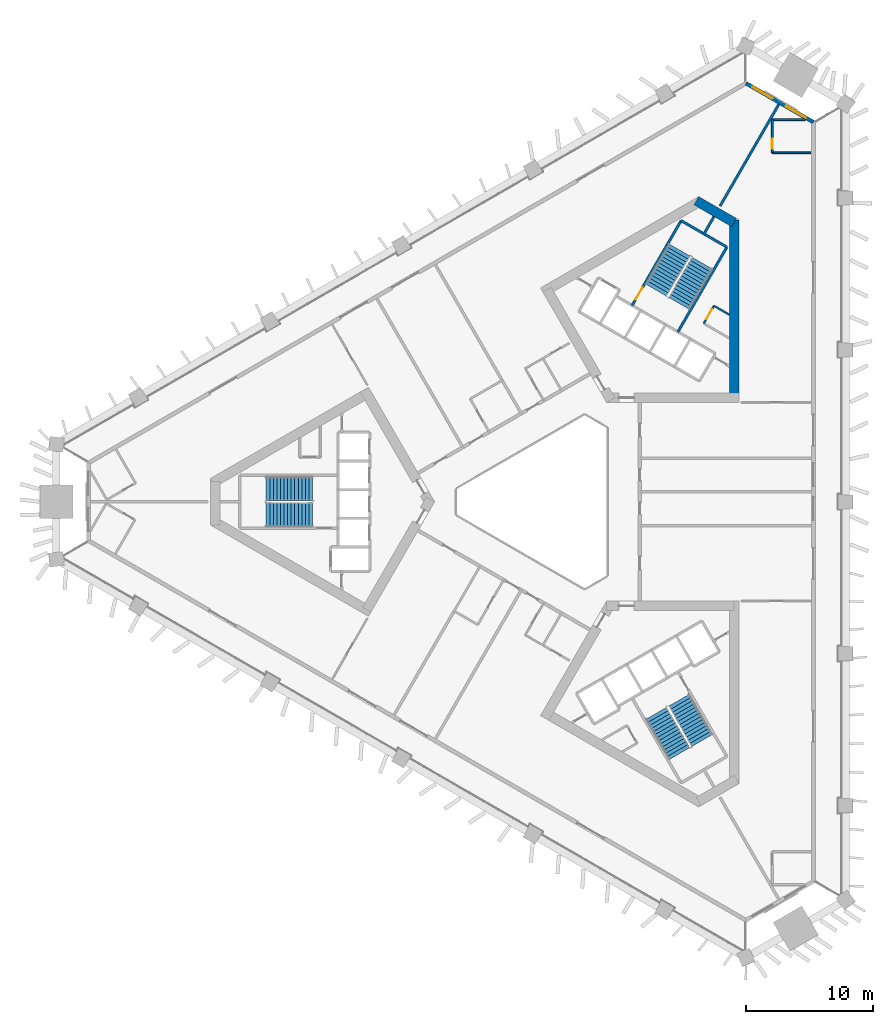
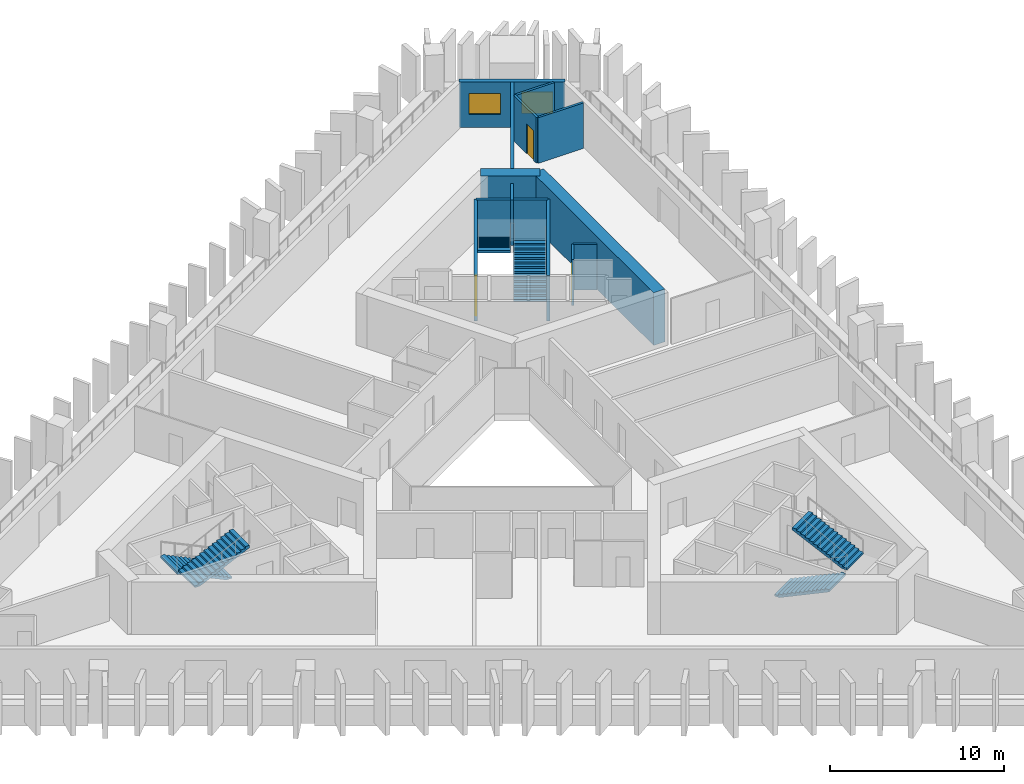
# One storey, part 6 of 10: 13 walls, 6 stair flights, 3 doors, 2 windows, 5 openings, 3 elements without a shape of their own.
"""IFC4 building model written with IfcOpenShell, lengths in metres."""

from ifc_helpers import new_model, si_unit, direction, frame, frame_2d, origin, place, context, subcontext, project, spatial, polyline, rectangle, outline, extrude, material, layer, layer_set, type_object, element, fill, aggregate, save


model = new_model("IFC4")

# Units and contexts
model_context = context("Model", 3, precision=1e-05, world=origin(), true_north=direction((0.0, 1.0)))
body_context = subcontext(model_context, "Body", "Model", "MODEL_VIEW")
ifc_project = project(units=[si_unit("LENGTHUNIT", "METRE"), si_unit("AREAUNIT", "SQUARE_METRE"), si_unit("VOLUMEUNIT", "CUBIC_METRE"), si_unit("PLANEANGLEUNIT", "RADIAN"), si_unit("MASSUNIT", "GRAM", prefix="KILO")], contexts=[model_context])

# Site, building, storey
site_placement = place(None, origin())
site = spatial("IfcSite", under=ifc_project, at=site_placement, CompositionType="ELEMENT")
building_placement = place(site_placement, origin())
building = spatial("IfcBuilding", under=site, at=building_placement, Name="Jabali Bay Hotel Tower and Convention Centre", CompositionType="ELEMENT")
storey_placement = place(building_placement, frame((0.0, 0.0, 68.39990234375)))
storey = spatial("IfcBuildingStorey", under=building, at=storey_placement, Name="L15", CompositionType="ELEMENT", Elevation=68.39990234375)

# Wall
ifc_material_1 = material(Name="Concrete C40", Category="concrete")
ifc_layer_1 = layer(ifc_material_1, 0.199951171875)
ifc_layer_set_1 = layer_set([ifc_layer_1], Name="Concrete C40")
wall_type_1 = type_object("IfcWallType", Name="Core partition wall 200", PredefinedType="PARTITIONING", material=ifc_layer_set_1)
wall_1_placement = place(storey_placement, frame((87.090087890625, 100.9404296875, 0.0), z_axis=(0.0, 0.0, 1.0), x_axis=(0.499937194881, 0.866061661301, 0.0)))
element("IfcWall", 1, at=wall_1_placement, inside=storey, type_object=wall_type_1, Name="Core wall 1.5 L15", PredefinedType="PARTITIONING", context=body_context, shape_type="SweptSolid", body=[
    extrude(rectangle(XDim=1.673095703125, YDim=0.199951171875, at=frame_2d((0.83642578125, 0.0))), origin(), (0.0, 0.0, 1.0), 3.2001953125),
])

# Wall, opening, door
ifc_material_2 = material(Name="Fire-rated board partition")
ifc_layer_2 = layer(ifc_material_2, 0.14990234375)
ifc_layer_set_2 = layer_set([ifc_layer_2], Name="Fire-rated board partition")
wall_type_2 = type_object("IfcWallType", Name="Core room partition 150", PredefinedType="PARTITIONING", material=ifc_layer_set_2)
wall_2_placement = place(storey_placement, frame((87.12109375, 93.994384765625, 0.0), z_axis=(0.0, 0.0, 1.0), x_axis=(0.500061482766, 0.865989903783, 0.0)))
wall_2 = element("IfcWall", 2, at=wall_2_placement, inside=storey, type_object=wall_type_2, Name="Core wall 1.1 L15", PredefinedType="PARTITIONING", context=body_context, shape_type="SweptSolid", body=[
    extrude(rectangle(XDim=1.599853515625, YDim=0.14990234375, at=frame_2d((0.7998046875, 0.0))), origin(), (0.0, 0.0, 1.0), 3.2001953125),
])
opening_1_placement = place(wall_2_placement, frame((0.387451171875, 0.0, 0.0)))
opening_1 = element("IfcOpeningElement", 3, at=opening_1_placement, cuts=wall_2, Name="Opening D395", PredefinedType="OPENING", context=body_context, shape_type="SweptSolid", body=[
    extrude(rectangle(XDim=0.89990234375, YDim=2.10009765625, at=frame_2d((0.449951171875, 1.050048828125))), frame((0.0, 0.08544921875, 0.0), z_axis=(0.0, -1.0, 0.0), x_axis=(1.0, 0.0, 0.0)), (0.0, 0.0, 1.0), 0.1708984375),
])
ifc_material_3 = material(Name="Fire-rated steel door", Category="steel")
door_type_1 = type_object("IfcDoorType", Name="Core room door 900 x 2100", OperationType="NOTDEFINED", PredefinedType="NOTDEFINED", material=ifc_material_3)
door_1_placement = place(opening_1_placement, origin())
door_1 = element("IfcDoor", 4, at=door_1_placement, inside=storey, type_object=door_type_1, Name="Core room door D395", OperationType="SINGLE_SWING_LEFT", OverallHeight=2.10009765625, OverallWidth=0.89990234375, PredefinedType="NOTDEFINED", context=body_context, shape_type="SweptSolid", body=[
    extrude(rectangle(XDim=0.89990234375, YDim=2.10009765625, at=frame_2d((0.449951171875, 1.050048828125))), frame((0.0, 0.02490234375, 0.0), z_axis=(0.0, -1.0, 0.0), x_axis=(1.0, 0.0, 0.0)), (0.0, 0.0, 1.0), 0.050048828125),
])
fill(opening_1, door_1)

# Walls
wall_3_placement = place(storey_placement, frame((89.1298828125, 94.68212890625, 0.0), z_axis=(0.0, 0.0, 1.0), x_axis=(-0.866060334111, 0.499939494019, 0.0)))
element("IfcWall", 5, at=wall_3_placement, inside=storey, type_object=wall_type_2, Name="Core wall 1.16 L15", PredefinedType="PARTITIONING", context=body_context, shape_type="SweptSolid", body=[
    extrude(rectangle(XDim=1.395751953125, YDim=0.14990234375, at=frame_2d((0.69775390625, 0.0))), origin(), (0.0, 0.0, 1.0), 3.2001953125),
])
ifc_layer_3 = layer(ifc_material_1, 0.199951171875)
ifc_layer_set_3 = layer_set([ifc_layer_3], Name="Concrete C40")
wall_type_3 = type_object("IfcWallType", Name="Core stair wall 200", PredefinedType="SOLIDWALL", material=ifc_layer_set_3)
wall_4_placement = place(storey_placement, frame((85.0869140625, 93.3212890625, 0.0), z_axis=(0.0, 0.0, 1.0), x_axis=(0.500019787375, 0.866013979237, 0.0)))
element("IfcWall", 6, at=wall_4_placement, inside=storey, type_object=wall_type_3, Name="Core wall 1.3 L15", PredefinedType="SOLIDWALL", context=body_context, shape_type="SweptSolid", body=[
    extrude(rectangle(XDim=7.699951171875, YDim=0.199951171875, at=frame_2d((3.85009765625, 0.0))), origin(), (0.0, 0.0, 1.0), 3.2001953125),
])

# Wall, opening, door
wall_5_placement = place(storey_placement, frame((81.492919921875, 95.396240234375, 0.0), z_axis=(0.0, 0.0, 1.0), x_axis=(0.500006057782, 0.866021906294, 0.0)))
wall_5 = element("IfcWall", 7, at=wall_5_placement, inside=storey, type_object=wall_type_3, Name="Core wall 1.7 L15", PredefinedType="SOLIDWALL", context=body_context, shape_type="SweptSolid", body=[
    extrude(rectangle(XDim=7.7001953125, YDim=0.199951171875, at=frame_2d((3.85009765625, 0.0))), origin(), (0.0, 0.0, 1.0), 3.2001953125),
])
opening_2_placement = place(wall_5_placement, frame((0.550048828125, 0.0, 0.0)))
opening_2 = element("IfcOpeningElement", 8, at=opening_2_placement, cuts=wall_5, Name="Opening D394", PredefinedType="OPENING", context=body_context, shape_type="SweptSolid", body=[
    extrude(rectangle(XDim=1.10009765625, YDim=2.10009765625, at=frame_2d((0.550048828125, 1.050048828125))), frame((0.0, 0.1103515625, 0.0), z_axis=(0.0, -1.0, 0.0), x_axis=(1.0, 0.0, 0.0)), (0.0, 0.0, 1.0), 0.220947265625),
])
door_type_2 = type_object("IfcDoorType", Name="Stair fire door 1100 x 2100", OperationType="NOTDEFINED", PredefinedType="NOTDEFINED", material=ifc_material_3)
door_2_placement = place(opening_2_placement, origin())
door_2 = element("IfcDoor", 9, at=door_2_placement, inside=storey, type_object=door_type_2, Name="Stair fire door D394", OperationType="SINGLE_SWING_RIGHT", OverallHeight=2.10009765625, OverallWidth=1.10009765625, PredefinedType="NOTDEFINED", context=body_context, shape_type="SweptSolid", body=[
    extrude(rectangle(XDim=1.10009765625, YDim=2.10009765625, at=frame_2d((0.550048828125, 1.050048828125))), frame((0.0, 0.02490234375, 0.0), z_axis=(0.0, -1.0, 0.0), x_axis=(1.0, 0.0, 0.0)), (0.0, 0.0, 1.0), 0.050048828125),
])
fill(opening_2, door_2)

# Walls
wall_6_placement = place(storey_placement, frame((88.93701171875, 99.989501953125, 0.0), z_axis=(0.0, 0.0, 1.0), x_axis=(-0.866004344652, 0.500036473714, 0.0)))
element("IfcWall", 10, at=wall_6_placement, inside=storey, type_object=wall_type_3, Name="Core wall 1.17 L15", PredefinedType="SOLIDWALL", context=body_context, shape_type="SweptSolid", body=[
    extrude(rectangle(XDim=4.150146484375, YDim=0.199951171875, at=frame_2d((2.0751953125, 0.0))), origin(), (0.0, 0.0, 1.0), 3.2001953125),
])
ifc_material_4 = material(Name="Concrete C60", Category="concrete")
ifc_layer_4 = layer(ifc_material_4, 0.75)
ifc_layer_set_4 = layer_set([ifc_layer_4], Name="Concrete C60")
wall_type_4 = type_object("IfcWallType", Name="Core wall 750", PredefinedType="SHEAR", material=ifc_layer_set_4)
wall_7_placement = place(storey_placement, frame((89.5048828125, 88.169189453125, 0.0), z_axis=(0.0, 0.0, 1.0), x_axis=(0.0, 1.0, 0.0)))
element("IfcWall", 11, at=wall_7_placement, inside=storey, type_object=wall_type_4, Name="Core wall 2.2 L15", PredefinedType="SHEAR", context=body_context, shape_type="SweptSolid", body=[
    extrude(rectangle(XDim=13.95849609375, YDim=0.75, at=frame_2d((6.979248046875, 0.0))), origin(), (0.0, 0.0, 1.0), 3.7001953125),
])
wall_8_placement = place(storey_placement, frame((89.5048828125, 101.9111328125, 0.0), z_axis=(0.0, 0.0, 1.0), x_axis=(-0.866017201164, 0.500014207086, 0.0)))
element("IfcWall", 12, at=wall_8_placement, inside=storey, type_object=wall_type_4, Name="Core wall 2.3 L15", PredefinedType="SHEAR", context=body_context, shape_type="SweptSolid", body=[
    extrude(rectangle(XDim=3.4287109375, YDim=0.75, at=frame_2d((1.71435546875, 0.0))), origin(), (0.0, 0.0, 1.0), 3.7001953125),
])

# Wall, openings, windows
ifc_layer_5 = layer(ifc_material_1, 0.300048828125)
ifc_layer_set_5 = layer_set([ifc_layer_5], Name="Concrete C40")
wall_type_5 = type_object("IfcWallType", Name="External wall 300", PredefinedType="SOLIDWALL", material=ifc_layer_set_5)
wall_9_placement = place(storey_placement, frame((90.443359375, 112.84716796875, 0.0), z_axis=(0.0, 0.0, 1.0), x_axis=(0.866022255349, -0.500005453211, 0.0)))
wall_9 = element("IfcWall", 13, at=wall_9_placement, inside=storey, type_object=wall_type_5, Name="External wall north-east chamfer L15", PredefinedType="SOLIDWALL", context=body_context, shape_type="SweptSolid", body=[
    extrude(rectangle(XDim=6.0986328125, YDim=0.300048828125, at=frame_2d((3.04931640625, 0.0))), origin(), (0.0, 0.0, 1.0), 3.2001953125),
])
opening_3_placement = place(wall_9_placement, frame((3.608154296875, 0.0, 0.89990234375)))
opening_3 = element("IfcOpeningElement", 14, at=opening_3_placement, cuts=wall_9, Name="Opening W1", PredefinedType="OPENING", context=body_context, shape_type="SweptSolid", body=[
    extrude(rectangle(XDim=1.800048828125, YDim=1.5, at=frame_2d((0.89990234375, 0.75))), frame((0.0, 0.16064453125, 0.0), z_axis=(0.0, -1.0, 0.0), x_axis=(1.0, 0.0, 0.0)), (0.0, 0.0, 1.0), 0.321044921875),
])
opening_4_placement = place(wall_9_placement, frame((0.581787109375, 0.0, 0.89990234375)))
opening_4 = element("IfcOpeningElement", 15, at=opening_4_placement, cuts=wall_9, Name="Opening W1", PredefinedType="OPENING", context=body_context, shape_type="SweptSolid", body=[
    extrude(rectangle(XDim=1.800048828125, YDim=1.5, at=frame_2d((0.89990234375, 0.75))), frame((0.0, 0.16064453125, 0.0), z_axis=(0.0, -1.0, 0.0), x_axis=(1.0, 0.0, 0.0)), (0.0, 0.0, 1.0), 0.321044921875),
])
ifc_material_5 = material(Name="Glass", Category="glass")
window_type = type_object("IfcWindowType", Name="Window 1800 x 1500", PartitioningType="SINGLE_PANEL", PredefinedType="WINDOW", material=ifc_material_5)
window_1_placement = place(opening_3_placement, origin())
window_1 = element("IfcWindow", 16, at=window_1_placement, inside=storey, type_object=window_type, Name="Window 1504", OverallHeight=1.5, OverallWidth=1.800048828125, PartitioningType="SINGLE_PANEL", PredefinedType="WINDOW", context=body_context, shape_type="SweptSolid", body=[
    extrude(rectangle(XDim=1.800048828125, YDim=1.5, at=frame_2d((0.89990234375, 0.75))), frame((0.0, 0.030029296875, 0.0), z_axis=(0.0, -1.0, 0.0), x_axis=(1.0, 0.0, 0.0)), (0.0, 0.0, 1.0), 0.06005859375),
])
fill(opening_3, window_1)
window_2_placement = place(opening_4_placement, origin())
window_2 = element("IfcWindow", 17, at=window_2_placement, inside=storey, type_object=window_type, Name="Window 1505", OverallHeight=1.5, OverallWidth=1.800048828125, PartitioningType="SINGLE_PANEL", PredefinedType="WINDOW", context=body_context, shape_type="SweptSolid", body=[
    extrude(rectangle(XDim=1.800048828125, YDim=1.5, at=frame_2d((0.89990234375, 0.75))), frame((0.0, 0.030029296875, 0.0), z_axis=(0.0, -1.0, 0.0), x_axis=(1.0, 0.0, 0.0)), (0.0, 0.0, 1.0), 0.06005859375),
])
fill(opening_4, window_2)

# Wall
ifc_material_6 = material(Name="Plasterboard on steel stud", Category="steel")
ifc_layer_6 = layer(ifc_material_6, 0.14990234375)
ifc_layer_set_6 = layer_set([ifc_layer_6], Name="Plasterboard on steel stud")
wall_type_6 = type_object("IfcWallType", Name="Partition 150 wet", PredefinedType="PARTITIONING", material=ifc_layer_set_6)
wall_10_placement = place(storey_placement, frame((95.53466796875, 107.394287109375, 0.0), z_axis=(0.0, 0.0, 1.0), x_axis=(-1.0, 0.0, 0.0)))
element("IfcWall", 18, at=wall_10_placement, inside=storey, type_object=wall_type_6, Name="Partition P03 L15 010", PredefinedType="PARTITIONING", context=body_context, shape_type="SweptSolid", body=[
    extrude(rectangle(XDim=3.033203125, YDim=0.14990234375, at=frame_2d((1.5166015625, 0.0))), origin(), (0.0, 0.0, 1.0), 3.2001953125),
])

# Wall, opening, door
wall_11_placement = place(storey_placement, frame((92.50146484375, 107.394287109375, 0.0), z_axis=(0.0, 0.0, 1.0), x_axis=(0.0, 1.0, 0.0)))
wall_11 = element("IfcWall", 19, at=wall_11_placement, inside=storey, type_object=wall_type_6, Name="Partition P03 L15 011", PredefinedType="PARTITIONING", context=body_context, shape_type="SweptSolid", body=[
    extrude(rectangle(XDim=2.599853515625, YDim=0.14990234375, at=frame_2d((1.2998046875, 0.0))), origin(), (0.0, 0.0, 1.0), 3.2001953125),
])
opening_5_placement = place(wall_11_placement, frame((0.300048828125, 0.0, 0.0)))
opening_5 = element("IfcOpeningElement", 20, at=opening_5_placement, cuts=wall_11, Name="Opening 1508", PredefinedType="OPENING", context=body_context, shape_type="SweptSolid", body=[
    extrude(rectangle(XDim=0.800048828125, YDim=2.10009765625, at=frame_2d((0.39990234375, 1.050048828125))), frame((0.0, 0.08544921875, 0.0), z_axis=(0.0, -1.0, 0.0), x_axis=(1.0, 0.0, 0.0)), (0.0, 0.0, 1.0), 0.1708984375),
])
ifc_material_7 = material(Name="Timber", Category="wood")
door_type_3 = type_object("IfcDoorType", Name="En-suite door 800 x 2100", OperationType="NOTDEFINED", PredefinedType="NOTDEFINED", material=ifc_material_7)
door_3_placement = place(opening_5_placement, origin())
door_3 = element("IfcDoor", 21, at=door_3_placement, inside=storey, type_object=door_type_3, Name="Door 1508", OperationType="SINGLE_SWING_LEFT", OverallHeight=2.10009765625, OverallWidth=0.800048828125, PredefinedType="NOTDEFINED", context=body_context, shape_type="SweptSolid", body=[
    extrude(rectangle(XDim=0.800048828125, YDim=2.10009765625, at=frame_2d((0.39990234375, 1.050048828125))), frame((0.0, 0.02490234375, 0.0), z_axis=(0.0, -1.0, 0.0), x_axis=(1.0, 0.0, 0.0)), (0.0, 0.0, 1.0), 0.050048828125),
])
fill(opening_5, door_3)

# Walls
wall_12_placement = place(storey_placement, frame((92.50146484375, 109.994140625, 0.0), z_axis=(0.0, 0.0, 1.0), x_axis=(1.0, 0.0, 0.0)))
element("IfcWall", 22, at=wall_12_placement, inside=storey, type_object=wall_type_6, Name="Partition P03 L15 012", PredefinedType="PARTITIONING", context=body_context, shape_type="SweptSolid", body=[
    extrude(rectangle(XDim=2.585205078125, YDim=0.14990234375, at=frame_2d((1.29248046875, 0.0))), origin(), (0.0, 0.0, 1.0), 3.2001953125),
])
ifc_layer_7 = layer(ifc_material_6, 0.199951171875)
ifc_layer_set_7 = layer_set([ifc_layer_7], Name="Plasterboard on steel stud")
wall_type_7 = type_object("IfcWallType", Name="Partition 200 party", PredefinedType="PARTITIONING", material=ifc_layer_set_7)
wall_13_placement = place(storey_placement, frame((93.010498046875, 111.19287109375, 0.0), z_axis=(0.0, 0.0, 1.0), x_axis=(-0.500010587453, -0.86601929103, 0.0)))
element("IfcWall", 23, at=wall_13_placement, inside=storey, type_object=wall_type_7, Name="Partition P01 L15 013", PredefinedType="PARTITIONING", context=body_context, shape_type="SweptSolid", body=[
    extrude(rectangle(XDim=9.217041015625, YDim=0.199951171875, at=frame_2d((4.6083984375, 0.0))), origin(), (0.0, 0.0, 1.0), 3.2001953125),
])

# Stair, stair flights
stair_type = type_object("IfcStairType", Name="Exit stair 1900", PredefinedType="HALF_TURN_STAIR", material=ifc_material_1)
stair_1_placement = place(storey_placement, origin())
stair_1 = element("IfcStair", 24, at=stair_1_placement, inside=storey, type_object=stair_type, Name="L15 Exit Stair 1", PredefinedType="HALF_TURN_STAIR")
stair_flight_type = type_object("IfcStairFlightType", Name="Stair flight concrete 150", PredefinedType="STRAIGHT", material=ifc_material_1)
stair_flight_1_placement = place(storey_placement, frame((56.419921875, 81.02490234375, 0.0), z_axis=(0.0, 0.0, 1.0), x_axis=(-1.0, 0.0, 0.0)))
stair_flight_1 = element("IfcStairFlight", 25, at=stair_flight_1_placement, type_object=stair_flight_type, Name="ST1 flight 1", NumberOfRisers=14, NumberOfTreads=13, PredefinedType="STRAIGHT", RiserHeight=0.132142857, TreadLength=0.28, context=body_context, shape_type="SweptSolid", body=[
    extrude(outline(polyline([(0.0, 0.0), (0.0, 0.132080078125), (0.280029296875, 0.132080078125), (0.280029296875, 0.264404296875), (0.56005859375, 0.264404296875), (0.56005859375, 0.396484375), (0.840087890625, 0.396484375), (0.840087890625, 0.528564453125), (1.1201171875, 0.528564453125), (1.1201171875, 0.66064453125), (1.39990234375, 0.66064453125), (1.39990234375, 0.79296875), (1.679931640625, 0.79296875), (1.679931640625, 0.925048828125), (1.9599609375, 0.925048828125), (1.9599609375, 1.05712890625), (2.239990234375, 1.05712890625), (2.239990234375, 1.189208984375), (2.52001953125, 1.189208984375), (2.52001953125, 1.321533203125), (2.800048828125, 1.321533203125), (2.800048828125, 1.45361328125), (3.080078125, 1.45361328125), (3.080078125, 1.585693359375), (3.360107421875, 1.585693359375), (3.360107421875, 1.7177734375), (3.639892578125, 1.7177734375), (3.639892578125, 1.85009765625), (3.639892578125, 1.552001953125), (0.351318359375, 0.0), (0.0, 0.0)])), frame((0.0, 0.949951171875, 0.0), z_axis=(0.0, -1.0, 0.0), x_axis=(1.0, 0.0, 0.0)), (0.0, 0.0, 1.0), 1.89990234375),
])
stair_flight_2_placement = place(storey_placement, frame((52.780029296875, 78.97509765625, 1.85009765625), z_axis=(0.0, 0.0, 1.0), x_axis=(1.0, 0.0, 0.0)))
stair_flight_2 = element("IfcStairFlight", 26, at=stair_flight_2_placement, type_object=stair_flight_type, Name="ST1 flight 2", NumberOfRisers=14, NumberOfTreads=13, PredefinedType="STRAIGHT", RiserHeight=0.132142857, TreadLength=0.28, context=body_context, shape_type="SweptSolid", body=[
    extrude(outline(polyline([(0.0, 0.0), (0.0, 0.132080078125), (0.280029296875, 0.132080078125), (0.280029296875, 0.264404296875), (0.56005859375, 0.264404296875), (0.56005859375, 0.396484375), (0.840087890625, 0.396484375), (0.840087890625, 0.528564453125), (1.1201171875, 0.528564453125), (1.1201171875, 0.66064453125), (1.39990234375, 0.66064453125), (1.39990234375, 0.79296875), (1.679931640625, 0.79296875), (1.679931640625, 0.925048828125), (1.9599609375, 0.925048828125), (1.9599609375, 1.05712890625), (2.239990234375, 1.05712890625), (2.239990234375, 1.189208984375), (2.52001953125, 1.189208984375), (2.52001953125, 1.321533203125), (2.800048828125, 1.321533203125), (2.800048828125, 1.45361328125), (3.080078125, 1.45361328125), (3.080078125, 1.585693359375), (3.360107421875, 1.585693359375), (3.360107421875, 1.7177734375), (3.639892578125, 1.7177734375), (3.639892578125, 1.85009765625), (3.639892578125, 1.552001953125), (0.351318359375, 0.0), (0.0, 0.0)])), frame((0.0, 0.949951171875, 0.0), z_axis=(0.0, -1.0, 0.0), x_axis=(1.0, 0.0, 0.0)), (0.0, 0.0, 1.0), 1.89990234375),
])
aggregate(stair_1, [stair_flight_1, stair_flight_2])

stair_2_placement = place(storey_placement, origin())
stair_2 = element("IfcStair", 27, at=stair_2_placement, inside=storey, type_object=stair_type, Name="L15 Exit Stair 2", PredefinedType="HALF_TURN_STAIR")
stair_flight_3_placement = place(storey_placement, frame((85.177734375, 95.578369140625, 0.0), z_axis=(0.0, 0.0, 1.0), x_axis=(0.5, 0.866025403784, 0.0)))
stair_flight_3 = element("IfcStairFlight", 28, at=stair_flight_3_placement, type_object=stair_flight_type, Name="ST2 flight 1", NumberOfRisers=14, NumberOfTreads=13, PredefinedType="STRAIGHT", RiserHeight=0.132142857, TreadLength=0.28, context=body_context, shape_type="SweptSolid", body=[
    extrude(outline(polyline([(0.0, 0.0), (0.0, 0.132080078125), (0.280029296875, 0.132080078125), (0.280029296875, 0.264404296875), (0.56005859375, 0.264404296875), (0.56005859375, 0.396484375), (0.840087890625, 0.396484375), (0.840087890625, 0.528564453125), (1.1201171875, 0.528564453125), (1.1201171875, 0.66064453125), (1.39990234375, 0.66064453125), (1.39990234375, 0.79296875), (1.679931640625, 0.79296875), (1.679931640625, 0.925048828125), (1.9599609375, 0.925048828125), (1.9599609375, 1.05712890625), (2.239990234375, 1.05712890625), (2.239990234375, 1.189208984375), (2.52001953125, 1.189208984375), (2.52001953125, 1.321533203125), (2.800048828125, 1.321533203125), (2.800048828125, 1.45361328125), (3.080078125, 1.45361328125), (3.080078125, 1.585693359375), (3.360107421875, 1.585693359375), (3.360107421875, 1.7177734375), (3.639892578125, 1.7177734375), (3.639892578125, 1.85009765625), (3.639892578125, 1.552001953125), (0.351318359375, 0.0), (0.0, 0.0)])), frame((0.0, 0.949951171875, 0.0), z_axis=(0.0, -1.0, 0.0), x_axis=(1.0, 0.0, 0.0)), (0.0, 0.0, 1.0), 1.89990234375),
])
stair_flight_4_placement = place(storey_placement, frame((85.222412109375, 99.755615234375, 1.85009765625), z_axis=(0.0, 0.0, 1.0), x_axis=(-0.5, -0.866025403784, 0.0)))
stair_flight_4 = element("IfcStairFlight", 29, at=stair_flight_4_placement, type_object=stair_flight_type, Name="ST2 flight 2", NumberOfRisers=14, NumberOfTreads=13, PredefinedType="STRAIGHT", RiserHeight=0.132142857, TreadLength=0.28, context=body_context, shape_type="SweptSolid", body=[
    extrude(outline(polyline([(0.0, 0.0), (0.0, 0.132080078125), (0.280029296875, 0.132080078125), (0.280029296875, 0.264404296875), (0.56005859375, 0.264404296875), (0.56005859375, 0.396484375), (0.840087890625, 0.396484375), (0.840087890625, 0.528564453125), (1.1201171875, 0.528564453125), (1.1201171875, 0.66064453125), (1.39990234375, 0.66064453125), (1.39990234375, 0.79296875), (1.679931640625, 0.79296875), (1.679931640625, 0.925048828125), (1.9599609375, 0.925048828125), (1.9599609375, 1.05712890625), (2.239990234375, 1.05712890625), (2.239990234375, 1.189208984375), (2.52001953125, 1.189208984375), (2.52001953125, 1.321533203125), (2.800048828125, 1.321533203125), (2.800048828125, 1.45361328125), (3.080078125, 1.45361328125), (3.080078125, 1.585693359375), (3.360107421875, 1.585693359375), (3.360107421875, 1.7177734375), (3.639892578125, 1.7177734375), (3.639892578125, 1.85009765625), (3.639892578125, 1.552001953125), (0.351318359375, 0.0), (0.0, 0.0)])), frame((0.0, 0.949951171875, 0.0), z_axis=(0.0, -1.0, 0.0), x_axis=(1.0, 0.0, 0.0)), (0.0, 0.0, 1.0), 1.89990234375),
])
aggregate(stair_2, [stair_flight_3, stair_flight_4])

stair_3_placement = place(storey_placement, origin())
stair_3 = element("IfcStair", 30, at=stair_3_placement, inside=storey, type_object=stair_type, Name="L15 Exit Stair 3", PredefinedType="HALF_TURN_STAIR")
stair_flight_5_placement = place(storey_placement, frame((83.40234375, 63.396728515625, 0.0), z_axis=(0.0, 0.0, 1.0), x_axis=(0.5, -0.866025403784, 0.0)))
stair_flight_5 = element("IfcStairFlight", 31, at=stair_flight_5_placement, type_object=stair_flight_type, Name="ST3 flight 1", NumberOfRisers=14, NumberOfTreads=13, PredefinedType="STRAIGHT", RiserHeight=0.132142857, TreadLength=0.28, context=body_context, shape_type="SweptSolid", body=[
    extrude(outline(polyline([(0.0, 0.0), (0.0, 0.132080078125), (0.280029296875, 0.132080078125), (0.280029296875, 0.264404296875), (0.56005859375, 0.264404296875), (0.56005859375, 0.396484375), (0.840087890625, 0.396484375), (0.840087890625, 0.528564453125), (1.1201171875, 0.528564453125), (1.1201171875, 0.66064453125), (1.39990234375, 0.66064453125), (1.39990234375, 0.79296875), (1.679931640625, 0.79296875), (1.679931640625, 0.925048828125), (1.9599609375, 0.925048828125), (1.9599609375, 1.05712890625), (2.239990234375, 1.05712890625), (2.239990234375, 1.189208984375), (2.52001953125, 1.189208984375), (2.52001953125, 1.321533203125), (2.800048828125, 1.321533203125), (2.800048828125, 1.45361328125), (3.080078125, 1.45361328125), (3.080078125, 1.585693359375), (3.360107421875, 1.585693359375), (3.360107421875, 1.7177734375), (3.639892578125, 1.7177734375), (3.639892578125, 1.85009765625), (3.639892578125, 1.552001953125), (0.351318359375, 0.0), (0.0, 0.0)])), frame((0.0, 0.949951171875, 0.0), z_axis=(0.0, -1.0, 0.0), x_axis=(1.0, 0.0, 0.0)), (0.0, 0.0, 1.0), 1.89990234375),
])
stair_flight_6_placement = place(storey_placement, frame((86.99755859375, 61.26953125, 1.85009765625), z_axis=(0.0, 0.0, 1.0), x_axis=(-0.5, 0.866025403784, 0.0)))
stair_flight_6 = element("IfcStairFlight", 32, at=stair_flight_6_placement, type_object=stair_flight_type, Name="ST3 flight 2", NumberOfRisers=14, NumberOfTreads=13, PredefinedType="STRAIGHT", RiserHeight=0.132142857, TreadLength=0.28, context=body_context, shape_type="SweptSolid", body=[
    extrude(outline(polyline([(0.0, 0.0), (0.0, 0.132080078125), (0.280029296875, 0.132080078125), (0.280029296875, 0.264404296875), (0.56005859375, 0.264404296875), (0.56005859375, 0.396484375), (0.840087890625, 0.396484375), (0.840087890625, 0.528564453125), (1.1201171875, 0.528564453125), (1.1201171875, 0.66064453125), (1.39990234375, 0.66064453125), (1.39990234375, 0.79296875), (1.679931640625, 0.79296875), (1.679931640625, 0.925048828125), (1.9599609375, 0.925048828125), (1.9599609375, 1.05712890625), (2.239990234375, 1.05712890625), (2.239990234375, 1.189208984375), (2.52001953125, 1.189208984375), (2.52001953125, 1.321533203125), (2.800048828125, 1.321533203125), (2.800048828125, 1.45361328125), (3.080078125, 1.45361328125), (3.080078125, 1.585693359375), (3.360107421875, 1.585693359375), (3.360107421875, 1.7177734375), (3.639892578125, 1.7177734375), (3.639892578125, 1.85009765625), (3.639892578125, 1.552001953125), (0.351318359375, 0.0), (0.0, 0.0)])), frame((0.0, 0.949951171875, 0.0), z_axis=(0.0, -1.0, 0.0), x_axis=(1.0, 0.0, 0.0)), (0.0, 0.0, 1.0), 1.89990234375),
])
aggregate(stair_3, [stair_flight_5, stair_flight_6])

save(model, "model.ifc")
